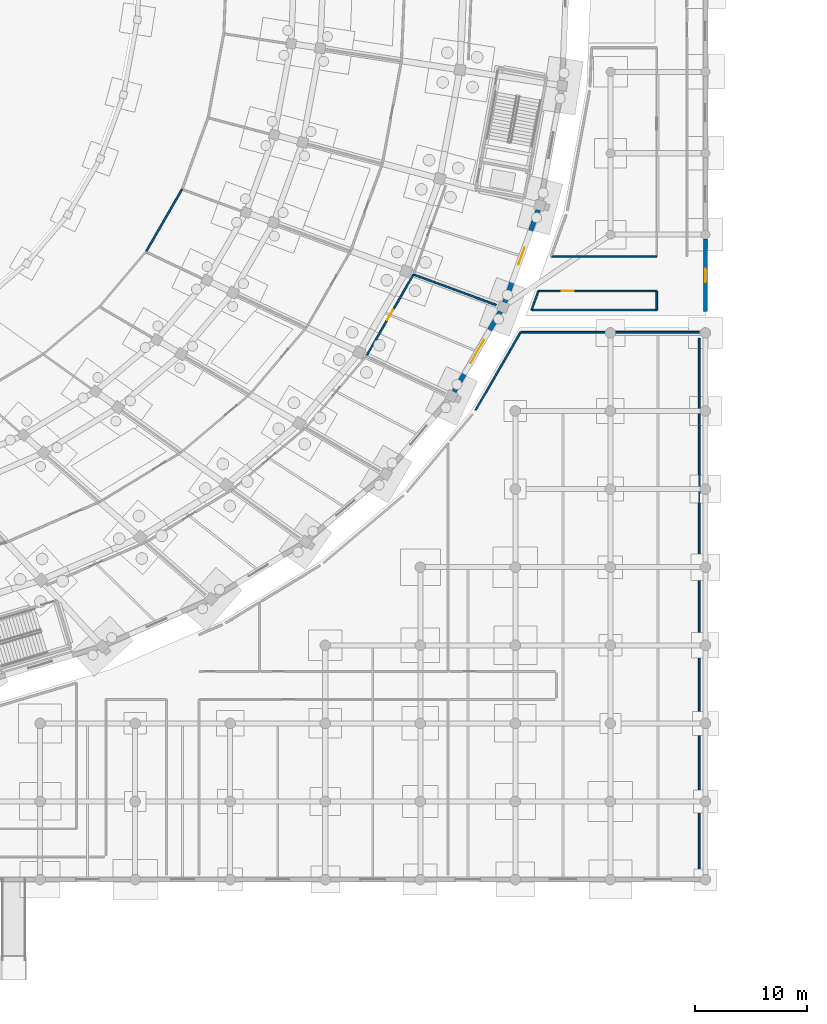
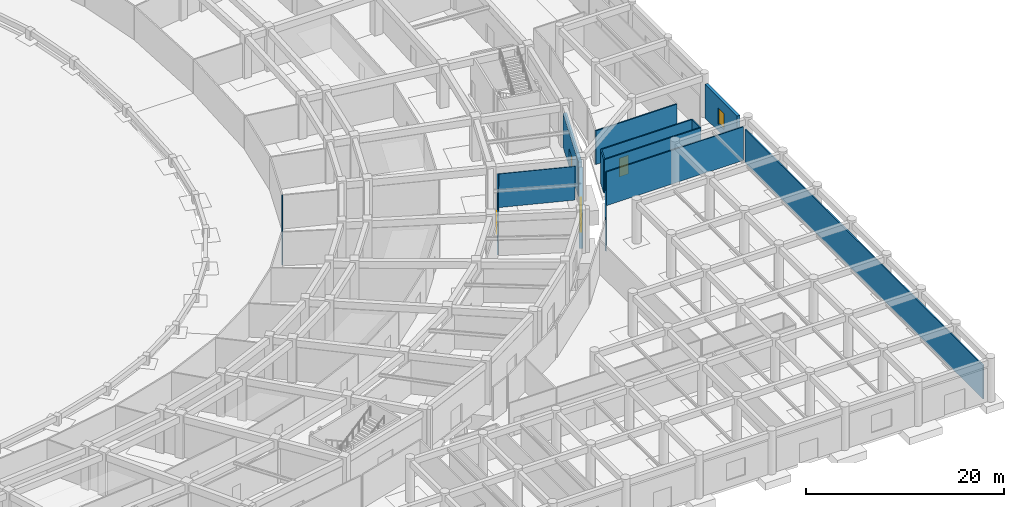
# One storey, part 52 of 88: 14 walls, 4 doors, 1 window, 5 openings.
"""IFC4 building model written with IfcOpenShell, lengths in metres."""

from ifc_helpers import new_model, si_unit, direction, frame, frame_2d, origin, place, context, subcontext, project, spatial, rectangle, extrude, material, layer, layer_set, type_object, element, fill, save


model = new_model("IFC4")

# Units and contexts
model_context = context("Model", 3, precision=1e-05, world=origin(), true_north=direction((0.0, 1.0)))
body_context = subcontext(model_context, "Body", "Model", "MODEL_VIEW")
ifc_project = project(units=[si_unit("LENGTHUNIT", "METRE"), si_unit("AREAUNIT", "SQUARE_METRE"), si_unit("VOLUMEUNIT", "CUBIC_METRE"), si_unit("PLANEANGLEUNIT", "RADIAN"), si_unit("MASSUNIT", "GRAM", prefix="KILO")], contexts=[model_context])

# Site, building, storey
site_placement = place(None, origin())
site = spatial("IfcSite", under=ifc_project, at=site_placement, CompositionType="ELEMENT")
building_placement = place(site_placement, origin())
building = spatial("IfcBuilding", under=site, at=building_placement, Name="Mphavela Belvedere Stadium", CompositionType="ELEMENT")
storey_placement = place(building_placement, origin())
storey = spatial("IfcBuildingStorey", under=building, at=storey_placement, Name="L00", CompositionType="ELEMENT", Elevation=0.0)

# Wall, opening, window
ifc_material_1 = material(Name="Honed ashlar limestone masonry", Category="masonry")
ifc_layer_1 = layer(ifc_material_1, 0.35009765625)
ifc_layer_set_1 = layer_set([ifc_layer_1], Name="Honed ashlar limestone masonry")
wall_type_1 = type_object("IfcWallType", Name="WAL-EXT-ASHLAR-350", PredefinedType="STANDARD", material=ifc_layer_set_1)
wall_1_placement = place(storey_placement, frame((230.0, 57.402099609375, 0.0), z_axis=(0.0, 0.0, 1.0), x_axis=(0.0, -1.0, 0.0)))
wall_1 = element("IfcWall", 1, at=wall_1_placement, inside=storey, type_object=wall_type_1, Name="East Planted Eaves Peristyle Colonnade outer facade bay L00-01", PredefinedType="STANDARD", context=body_context, shape_type="SweptSolid", body=[
    extrude(rectangle(XDim=6.504150390625, YDim=0.35009765625, at=frame_2d((3.251953125, 0.0))), origin(), (0.0, 0.0, 1.0), 4.159912109375),
])
opening_1_placement = place(wall_1_placement, frame((2.632080078125, 0.0, 0.89990234375)))
opening_1 = element("IfcOpeningElement", 2, at=opening_1_placement, cuts=wall_1, Name="Opening W-288", PredefinedType="OPENING", context=body_context, shape_type="SweptSolid", body=[
    extrude(rectangle(XDim=1.239990234375, YDim=1.949951171875, at=frame_2d((0.6201171875, 0.97509765625))), frame((0.0, 0.18505859375, 0.0), z_axis=(0.0, -1.0, 0.0), x_axis=(1.0, 0.0, 0.0)), (0.0, 0.0, 1.0), 0.3701171875),
])
ifc_material_2 = material(Name="Bronze-anodised thermally broken aluminium window", Category="aluminium")
window_type = type_object("IfcWindowType", Name="WIN-EXT-24", PartitioningType="SINGLE_PANEL", PredefinedType="WINDOW", material=ifc_material_2)
window_placement = place(opening_1_placement, origin())
window = element("IfcWindow", 3, at=window_placement, inside=storey, type_object=window_type, Name="East Planted Eaves Peristyle Colonnade classical window W-288", OverallHeight=1.949951171875, OverallWidth=1.239990234375, PartitioningType="SINGLE_PANEL", PredefinedType="WINDOW", context=body_context, shape_type="SweptSolid", body=[
    extrude(rectangle(XDim=1.239990234375, YDim=1.949951171875, at=frame_2d((0.6201171875, 0.97509765625))), frame((0.0, 0.030029296875, 0.0), z_axis=(0.0, -1.0, 0.0), x_axis=(1.0, 0.0, 0.0)), (0.0, 0.0, 1.0), 0.06005859375),
])
fill(opening_1, window)

# Wall, opening, door
ifc_material_3 = material(Name="Rusticated ashlar limestone masonry", Category="masonry")
ifc_layer_2 = layer(ifc_material_3, 0.39990234375)
ifc_layer_set_2 = layer_set([ifc_layer_2], Name="Rusticated ashlar limestone masonry")
wall_type_2 = type_object("IfcWallType", Name="WAL-EXT-ASHLAR-400", PredefinedType="STANDARD", material=ifc_layer_set_2)
wall_2_placement = place(storey_placement, frame((211.6318359375, 50.929931640625, 0.0), z_axis=(0.0, 0.0, 1.0), x_axis=(-0.500543493437, -0.865711390232, 0.0)))
wall_2 = element("IfcWall", 4, at=wall_2_placement, inside=storey, type_object=wall_type_2, Name="Ground plinth rusticated ashlar wall 45", PredefinedType="STANDARD", context=body_context, shape_type="SweptSolid", body=[
    extrude(rectangle(XDim=8.321044921875, YDim=0.39990234375, at=frame_2d((4.16064453125, 0.0))), origin(), (0.0, 0.0, 1.0), 4.25),
])
opening_2_placement = place(wall_2_placement, frame((2.960693359375, 0.0, 0.0)))
opening_2 = element("IfcOpeningElement", 5, at=opening_2_placement, cuts=wall_2, Name="Opening ED-022", PredefinedType="OPENING", context=body_context, shape_type="SweptSolid", body=[
    extrude(rectangle(XDim=2.39990234375, YDim=2.550048828125, at=frame_2d((1.199951171875, 1.27490234375))), frame((0.0, 0.2099609375, 0.0), z_axis=(0.0, -1.0, 0.0), x_axis=(1.0, 0.0, 0.0)), (0.0, 0.0, 1.0), 0.419921875),
])
ifc_material_4 = material(Name="Glazed bronze-anodised steel exit doorset", Category="steel")
door_type_1 = type_object("IfcDoorType", Name="DR-EXT-06", OperationType="NOTDEFINED", PredefinedType="DOOR", material=ifc_material_4)
door_1_placement = place(opening_2_placement, origin())
door_1 = element("IfcDoor", 6, at=door_1_placement, inside=storey, type_object=door_type_1, Name="Spectator final exit doorset ED-022", OperationType="DOUBLE_DOOR_SINGLE_SWING", OverallHeight=2.550048828125, OverallWidth=2.39990234375, PredefinedType="DOOR", context=body_context, shape_type="SweptSolid", body=[
    extrude(rectangle(XDim=2.39990234375, YDim=2.550048828125, at=frame_2d((1.199951171875, 1.27490234375))), frame((0.0, 0.02490234375, 0.0), z_axis=(0.0, -1.0, 0.0), x_axis=(1.0, 0.0, 0.0)), (0.0, 0.0, 1.0), 0.050048828125),
])
fill(opening_2, door_1)

wall_3_placement = place(storey_placement, frame((215.01171875, 60.016357421875, 0.0), z_axis=(0.0, 0.0, 1.0), x_axis=(-0.341030587203, -0.940052199929, 0.0)))
wall_3 = element("IfcWall", 7, at=wall_3_placement, inside=storey, type_object=wall_type_2, Name="Ground plinth rusticated ashlar wall 46", PredefinedType="STANDARD", context=body_context, shape_type="SweptSolid", body=[
    extrude(rectangle(XDim=8.805419921875, YDim=0.39990234375, at=frame_2d((4.40283203125, 0.0))), origin(), (0.0, 0.0, 1.0), 4.25),
])
opening_3_placement = place(wall_3_placement, frame((3.602783203125, 0.0, 0.0)))
opening_3 = element("IfcOpeningElement", 8, at=opening_3_placement, cuts=wall_3, Name="Opening ED-023", PredefinedType="OPENING", context=body_context, shape_type="SweptSolid", body=[
    extrude(rectangle(XDim=1.60009765625, YDim=2.300048828125, at=frame_2d((0.800048828125, 1.14990234375))), frame((0.0, 0.2099609375, 0.0), z_axis=(0.0, -1.0, 0.0), x_axis=(1.0, 0.0, 0.0)), (0.0, 0.0, 1.0), 0.419921875),
])
ifc_material_5 = material(Name="Glazed bronze-anodised steel exit doorset", Category="steel")
door_type_2 = type_object("IfcDoorType", Name="DR-EXT-07", OperationType="NOTDEFINED", PredefinedType="DOOR", material=ifc_material_5)
door_2_placement = place(opening_3_placement, origin())
door_2 = element("IfcDoor", 9, at=door_2_placement, inside=storey, type_object=door_type_2, Name="Spectator final exit doorset ED-023", OperationType="DOUBLE_DOOR_SINGLE_SWING", OverallHeight=2.300048828125, OverallWidth=1.60009765625, PredefinedType="DOOR", context=body_context, shape_type="SweptSolid", body=[
    extrude(rectangle(XDim=1.60009765625, YDim=2.300048828125, at=frame_2d((0.800048828125, 1.14990234375))), frame((0.0, 0.02490234375, 0.0), z_axis=(0.0, -1.0, 0.0), x_axis=(1.0, 0.0, 0.0)), (0.0, 0.0, 1.0), 0.050048828125),
])
fill(opening_3, door_2)

ifc_material_6 = material(Name="Acoustic gypsum stud partition assembly")
ifc_layer_3 = layer(ifc_material_6, 0.14990234375)
ifc_layer_set_3 = layer_set([ifc_layer_3], Name="Acoustic gypsum stud partition assembly")
wall_type_3 = type_object("IfcWallType", Name="WAL-PART-150", PredefinedType="PARTITIONING", material=ifc_layer_set_3)
wall_4_placement = place(storey_placement, frame((199.64111328125, 46.98095703125, 0.0), z_axis=(0.0, 0.0, 1.0), x_axis=(0.500559280672, 0.865702262059, 0.0)))
wall_4 = element("IfcWall", 10, at=wall_4_placement, inside=storey, type_object=wall_type_3, Name="Room L00-153 corridor partition", PredefinedType="PARTITIONING", context=body_context, shape_type="SweptSolid", body=[
    extrude(rectangle(XDim=8.37451171875, YDim=0.14990234375, at=frame_2d((4.187255859375, 0.0))), origin(), (0.0, 0.0, 1.0), 4.14990234375),
])
opening_4_placement = place(wall_4_placement, frame((3.67724609375, 0.0, 0.0)))
opening_4 = element("IfcOpeningElement", 11, at=opening_4_placement, cuts=wall_4, Name="Opening ID-076", PredefinedType="OPENING", context=body_context, shape_type="SweptSolid", body=[
    extrude(rectangle(XDim=1.02001953125, YDim=2.10009765625, at=frame_2d((0.510009765625, 1.050048828125))), frame((0.0, 0.0849609375, 0.0), z_axis=(0.0, -1.0, 0.0), x_axis=(1.0, 0.0, 0.0)), (0.0, 0.0, 1.0), 0.169921875),
])
ifc_material_7 = material(Name="Hardwood acoustic timber doorset", Category="wood")
door_type_3 = type_object("IfcDoorType", Name="DR-INT-04", OperationType="NOTDEFINED", PredefinedType="DOOR", material=ifc_material_7)
door_3_placement = place(opening_4_placement, origin())
door_3 = element("IfcDoor", 12, at=door_3_placement, inside=storey, type_object=door_type_3, Name="Room L00-153 entrance door ID-076", OperationType="SINGLE_SWING_RIGHT", OverallHeight=2.10009765625, OverallWidth=1.02001953125, PredefinedType="DOOR", context=body_context, shape_type="SweptSolid", body=[
    extrude(rectangle(XDim=1.02001953125, YDim=2.10009765625, at=frame_2d((0.510009765625, 1.050048828125))), frame((0.0, 0.02490234375, 0.0), z_axis=(0.0, -1.0, 0.0), x_axis=(1.0, 0.0, 0.0)), (0.0, 0.0, 1.0), 0.050048828125),
])
fill(opening_4, door_3)

wall_5_placement = place(storey_placement, frame((215.031494140625, 52.739990234375, 0.0), z_axis=(0.0, 0.0, 1.0), x_axis=(1.0, 0.0, 0.0)))
wall_5 = element("IfcWall", 13, at=wall_5_placement, inside=storey, type_object=wall_type_3, Name="Room L00-206 corridor partition", PredefinedType="PARTITIONING", context=body_context, shape_type="SweptSolid", body=[
    extrude(rectangle(XDim=10.6083984375, YDim=0.14990234375, at=frame_2d((5.30419921875, 0.0))), origin(), (0.0, 0.0, 1.0), 4.14990234375),
])
opening_5_placement = place(wall_5_placement, frame((2.101806640625, 0.0, 0.0)))
opening_5 = element("IfcOpeningElement", 14, at=opening_5_placement, cuts=wall_5, Name="Opening ID-533", PredefinedType="OPENING", context=body_context, shape_type="SweptSolid", body=[
    extrude(rectangle(XDim=1.06005859375, YDim=2.300048828125, at=frame_2d((0.530029296875, 1.14990234375))), frame((0.0, 0.0849609375, 0.0), z_axis=(0.0, -1.0, 0.0), x_axis=(1.0, 0.0, 0.0)), (0.0, 0.0, 1.0), 0.169921875),
])
ifc_material_8 = material(Name="Hardwood acoustic timber doorset", Category="wood")
door_type_4 = type_object("IfcDoorType", Name="DR-INT-29", OperationType="NOTDEFINED", PredefinedType="DOOR", material=ifc_material_8)
door_4_placement = place(opening_5_placement, origin())
door_4 = element("IfcDoor", 15, at=door_4_placement, inside=storey, type_object=door_type_4, Name="Room L00-206 entrance door ID-533", OperationType="SINGLE_SWING_LEFT", OverallHeight=2.300048828125, OverallWidth=1.06005859375, PredefinedType="DOOR", context=body_context, shape_type="SweptSolid", body=[
    extrude(rectangle(XDim=1.06005859375, YDim=2.300048828125, at=frame_2d((0.530029296875, 1.14990234375))), frame((0.0, 0.02490234375, 0.0), z_axis=(0.0, -1.0, 0.0), x_axis=(1.0, 0.0, 0.0)), (0.0, 0.0, 1.0), 0.050048828125),
])
fill(opening_5, door_4)

# Walls
wall_6_placement = place(storey_placement, frame((179.88720703125, 56.3310546875, 0.0), z_axis=(0.0, 0.0, 1.0), x_axis=(0.500568608351, 0.865696868617, 0.0)))
element("IfcWall", 16, at=wall_6_placement, inside=storey, type_object=wall_type_3, Name="Room divider partition L00-0129", PredefinedType="PARTITIONING", context=body_context, shape_type="SweptSolid", body=[
    extrude(rectangle(XDim=6.40087890625, YDim=0.14990234375, at=frame_2d((3.200439453125, 0.0))), origin(), (0.0, 0.0, 1.0), 4.14990234375),
])
wall_7_placement = place(storey_placement, frame((203.8330078125, 54.230712890625, 0.0), z_axis=(0.0, 0.0, 1.0), x_axis=(0.938352081903, -0.34568102405, 0.0)))
element("IfcWall", 17, at=wall_7_placement, inside=storey, type_object=wall_type_3, Name="Room divider partition L00-0131", PredefinedType="PARTITIONING", context=body_context, shape_type="SweptSolid", body=[
    extrude(rectangle(XDim=7.90380859375, YDim=0.14990234375, at=frame_2d((3.951904296875, 0.0))), origin(), (0.0, 0.0, 1.0), 4.14990234375),
])
wall_8_placement = place(storey_placement, frame((209.40673828125, 42.087158203125, 0.0), z_axis=(0.0, 0.0, 1.0), x_axis=(0.500545605998, 0.865710168773, 0.0)))
element("IfcWall", 18, at=wall_8_placement, inside=storey, type_object=wall_type_3, Name="Room divider partition L00-0676", PredefinedType="PARTITIONING", context=body_context, shape_type="SweptSolid", body=[
    extrude(rectangle(XDim=8.04296875, YDim=0.14990234375, at=frame_2d((4.021484375, 0.0))), origin(), (0.0, 0.0, 1.0), 4.14990234375),
])
wall_9_placement = place(storey_placement, frame((213.4326171875, 49.050048828125, 0.0), z_axis=(0.0, 0.0, 1.0), x_axis=(1.0, 0.0, 0.0)))
element("IfcWall", 19, at=wall_9_placement, inside=storey, type_object=wall_type_3, Name="Room divider partition L00-0677", PredefinedType="PARTITIONING", context=body_context, shape_type="SweptSolid", body=[
    extrude(rectangle(XDim=16.017333984375, YDim=0.14990234375, at=frame_2d((8.0087890625, 0.0))), origin(), (0.0, 0.0, 1.0), 4.14990234375),
])
wall_10_placement = place(storey_placement, frame((229.449951171875, 48.5, 0.0), z_axis=(0.0, 0.0, 1.0), x_axis=(0.0, -1.0, 0.0)))
element("IfcWall", 20, at=wall_10_placement, inside=storey, type_object=wall_type_3, Name="Room divider partition L00-0678", PredefinedType="PARTITIONING", context=body_context, shape_type="SweptSolid", body=[
    extrude(rectangle(XDim=48.050048828125, YDim=0.14990234375, at=frame_2d((24.02490234375, 0.0))), origin(), (0.0, 0.0, 1.0), 4.14990234375),
])
wall_11_placement = place(storey_placement, frame((225.639892578125, 51.050048828125, 0.0), z_axis=(0.0, 0.0, 1.0), x_axis=(-1.0, 0.0, 0.0)))
element("IfcWall", 21, at=wall_11_placement, inside=storey, type_object=wall_type_3, Name="Room divider partition L00-1218", PredefinedType="PARTITIONING", context=body_context, shape_type="SweptSolid", body=[
    extrude(rectangle(XDim=11.221435546875, YDim=0.14990234375, at=frame_2d((5.61083984375, 0.0))), origin(), (0.0, 0.0, 1.0), 4.14990234375),
])
wall_12_placement = place(storey_placement, frame((214.41845703125, 51.050048828125, 0.0), z_axis=(0.0, 0.0, 1.0), x_axis=(0.341012375502, 0.940058806541, 0.0)))
element("IfcWall", 22, at=wall_12_placement, inside=storey, type_object=wall_type_3, Name="Room divider partition L00-1219", PredefinedType="PARTITIONING", context=body_context, shape_type="SweptSolid", body=[
    extrude(rectangle(XDim=1.797607421875, YDim=0.14990234375, at=frame_2d((0.89892578125, 0.0))), origin(), (0.0, 0.0, 1.0), 4.14990234375),
])
wall_13_placement = place(storey_placement, frame((225.639892578125, 52.739990234375, 0.0), z_axis=(0.0, 0.0, 1.0), x_axis=(0.0, -1.0, 0.0)))
element("IfcWall", 23, at=wall_13_placement, inside=storey, type_object=wall_type_3, Name="Room divider partition L00-1220", PredefinedType="PARTITIONING", context=body_context, shape_type="SweptSolid", body=[
    extrude(rectangle(XDim=1.68994140625, YDim=0.14990234375, at=frame_2d((0.844970703125, 0.0))), origin(), (0.0, 0.0, 1.0), 4.14990234375),
])
wall_14_placement = place(storey_placement, frame((225.639892578125, 55.860107421875, 0.0), z_axis=(0.0, 0.0, 1.0), x_axis=(-1.0, 0.0, 0.0)))
element("IfcWall", 24, at=wall_14_placement, inside=storey, type_object=wall_type_3, Name="Room divider partition L00-1224", PredefinedType="PARTITIONING", context=body_context, shape_type="SweptSolid", body=[
    extrude(rectangle(XDim=9.4765625, YDim=0.14990234375, at=frame_2d((4.73828125, 0.0))), origin(), (0.0, 0.0, 1.0), 4.14990234375),
])

save(model, "model.ifc")
